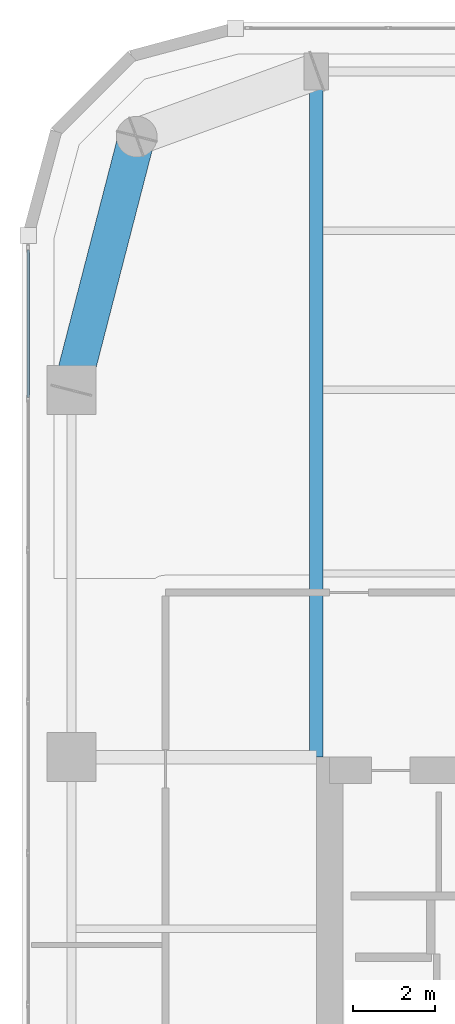
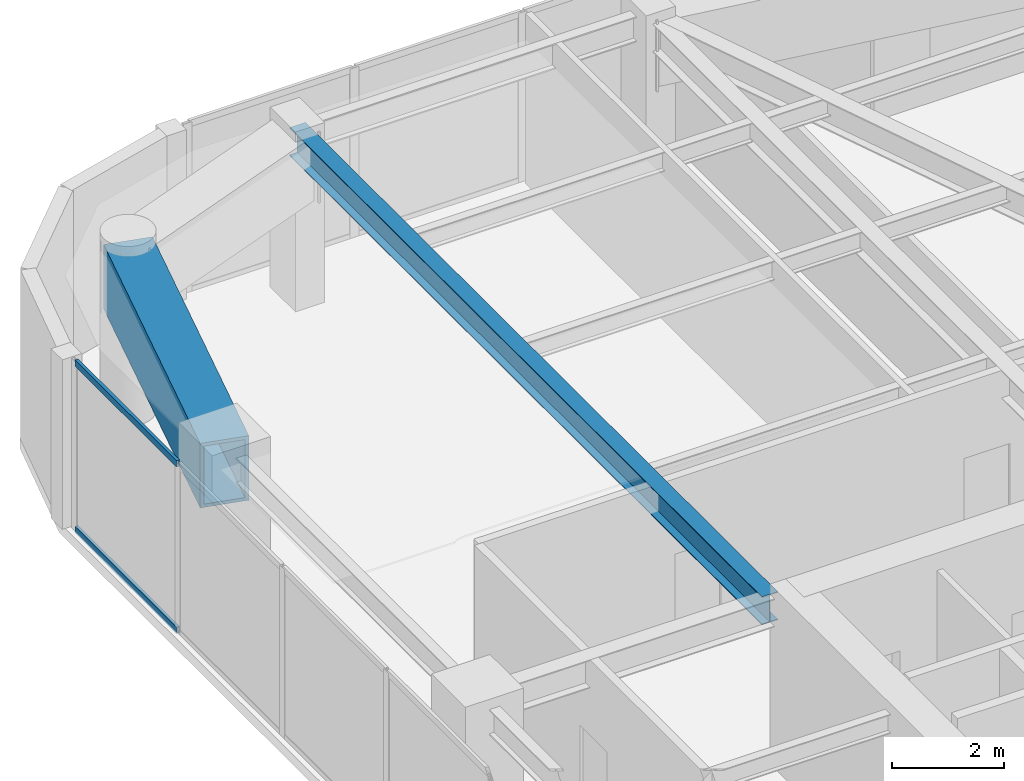
# One storey, part 7 of 21: 2 beams, 2 members, 1 element without a shape of its own.
"""IFC4 building model written with IfcOpenShell, lengths in metres."""

from ifc_helpers import new_model, si_unit, direction, frame, origin, origin_2d, place, context, subcontext, project, spatial, hollow_rectangle, i_section, extrude, material, layer, layer_set, material_profile, profile_set, type_object, element, aggregate, save


model = new_model("IFC4")

# Units and contexts
model_context = context("Model", 3, precision=1e-05, world=origin(), true_north=direction((0.0, 1.0)))
body_context = subcontext(model_context, "Body", "Model", "MODEL_VIEW")
ifc_project = project(units=[si_unit("LENGTHUNIT", "METRE"), si_unit("AREAUNIT", "SQUARE_METRE"), si_unit("VOLUMEUNIT", "CUBIC_METRE"), si_unit("PLANEANGLEUNIT", "RADIAN"), si_unit("MASSUNIT", "GRAM", prefix="KILO")], contexts=[model_context])

# Site, building, storey
site_placement = place(None, origin())
site = spatial("IfcSite", under=ifc_project, at=site_placement, CompositionType="ELEMENT")
building_placement = place(site_placement, origin())
building = spatial("IfcBuilding", under=site, at=building_placement, Name="Kiyonajd Concourse Tower", CompositionType="ELEMENT")
storey_placement = place(building_placement, frame((0.0, 0.0, 223.199951171875)))
storey = spatial("IfcBuildingStorey", under=building, at=storey_placement, Name="L56", CompositionType="ELEMENT", Elevation=223.199951171875)

# Beams
ifc_material_1 = material(Name="Steel ASTM A992 Grade 50", Category="steel")
ifc_material_profile_1 = material_profile(ifc_material_1, i_section(OverallWidth=0.323974609375, OverallDepth=0.611083984375, WebThickness=0.0126953125, FlangeThickness=0.01904296875, at=origin_2d()), Name="W610X155")
ifc_profile_set_1 = profile_set([ifc_material_profile_1], Name="Steel ASTM A992 Grade 50")
beam_type_1 = type_object("IfcBeamType", Name="BM-TWR-610B", PredefinedType="BEAM", material=ifc_profile_set_1)
beam_1_placement = place(storey_placement, frame((32.39990234375, 44.39990234375, 3.37451171875), z_axis=(0.0, 1.0, 0.0), x_axis=(-1.0, 0.0, 0.0)))
element("IfcBeam", 1, at=beam_1_placement, inside=storey, type_object=beam_type_1, Name="L56 North Lease Girder", PredefinedType="BEAM", context=body_context, shape_type="SweptSolid", body=[
    extrude(i_section(OverallWidth=0.323974609375, OverallDepth=0.611083984375, WebThickness=0.0126953125, FlangeThickness=0.01904296875, at=origin_2d()), origin(), (0.0, 0.0, 1.0), 16.800048828125),
])
ifc_material_2 = material(Name="Steel ASTM A572 Grade 50", Category="steel")
ifc_material_profile_2 = material_profile(ifc_material_2, hollow_rectangle(XDim=0.89990234375, YDim=1.39990234375, WallThickness=0.070068359375, at=origin_2d()), Name="BOX-1400x900x70")
ifc_profile_set_2 = profile_set([ifc_material_profile_2], Name="Steel ASTM A572 Grade 50")
beam_type_2 = type_object("IfcBeamType", Name="BM-XFER-1400", PredefinedType="BEAM", material=ifc_profile_set_2)
beam_2_placement = place(storey_placement, frame((28.0, 59.60009765625, 2.97998046875), z_axis=(-0.249884937687, -0.968275538221, 0.0), x_axis=(0.968275538221, -0.249884937687, 0.0)))
element("IfcBeam", 2, at=beam_2_placement, inside=storey, type_object=beam_type_2, Name="L56 Perimeter Bundled Tube Spandrel", PredefinedType="BEAM", context=body_context, shape_type="SweptSolid", body=[
    extrude(hollow_rectangle(XDim=0.89990234375, YDim=1.39990234375, WallThickness=0.070068359375, at=origin_2d()), origin(), (0.0, 0.0, 1.0), 6.4033203125),
])

# Curtain wall, members
ifc_material_3 = material(Name="Thermally Broken Anodised Aluminium", Category="aluminium")
ifc_layer = layer(ifc_material_3, 0.179931640625)
ifc_layer_set = layer_set([ifc_layer], Name="Thermally Broken Anodised Aluminium")
curtain_wall_type = type_object("IfcCurtainWallType", Name="CW-SYS-04", PredefinedType="NOTDEFINED", material=ifc_layer_set)
curtain_wall_placement = place(storey_placement, origin())
curtain_wall = element("IfcCurtainWall", 3, at=curtain_wall_placement, inside=storey, type_object=curtain_wall_type, Name="L56 Unitised Curtain Wall CW4", PredefinedType="NOTDEFINED")
ifc_material_profile_3 = material_profile(ifc_material_3, hollow_rectangle(XDim=0.06494140625, YDim=0.139892578125, WallThickness=0.00390625, at=origin_2d()), Name="TRAN-65x140")
ifc_profile_set_3 = profile_set([ifc_material_profile_3], Name="Thermally Broken Anodised Aluminium")
member_type = type_object("IfcMemberType", Name="MB-CW-TRAN1", PredefinedType="USERDEFINED", material=ifc_profile_set_3)
member_1_placement = place(storey_placement, frame((25.340087890625, 53.2138671875, 0.032470703125), z_axis=(0.0, 1.0, 0.0), x_axis=(-1.0, 0.0, 0.0)))
member_1 = element("IfcMember", 4, at=member_1_placement, type_object=member_type, Name="CW4 transom 6.1", ObjectType="TRANSOM", PredefinedType="USERDEFINED", context=body_context, shape_type="SweptSolid", body=[
    extrude(hollow_rectangle(XDim=0.06494140625, YDim=0.139892578125, WallThickness=0.00390625, at=origin_2d()), origin(), (0.0, 0.0, 1.0), 3.61279296875),
])
member_2_placement = place(storey_placement, frame((25.340087890625, 53.2138671875, 3.6474609375), z_axis=(0.0, 1.0, 0.0), x_axis=(-1.0, 0.0, 0.0)))
member_2 = element("IfcMember", 5, at=member_2_placement, type_object=member_type, Name="CW4 transom 6.2", ObjectType="TRANSOM", PredefinedType="USERDEFINED", context=body_context, shape_type="SweptSolid", body=[
    extrude(hollow_rectangle(XDim=0.06494140625, YDim=0.139892578125, WallThickness=0.00390625, at=origin_2d()), origin(), (0.0, 0.0, 1.0), 3.61279296875),
])
aggregate(curtain_wall, [member_1, member_2])

save(model, "model.ifc")
